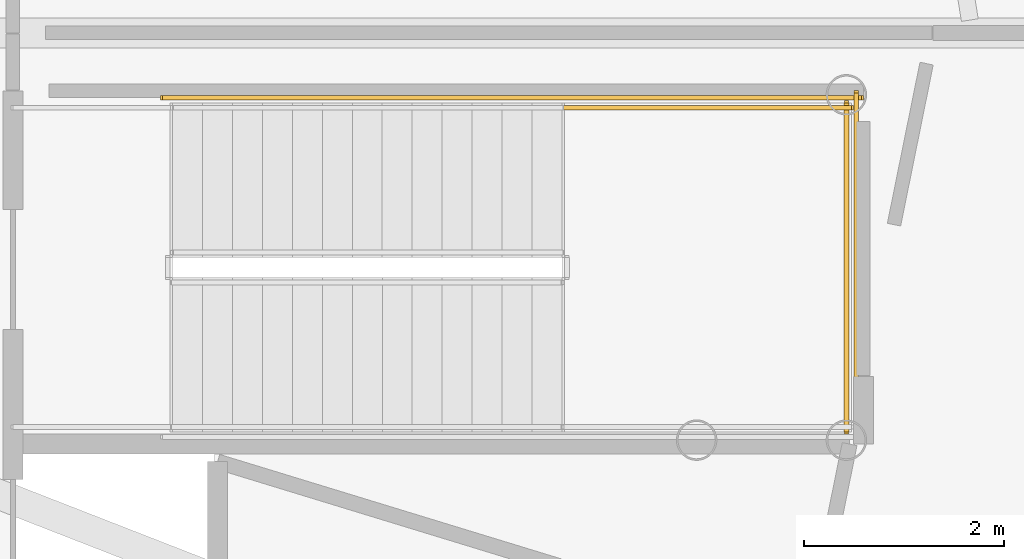
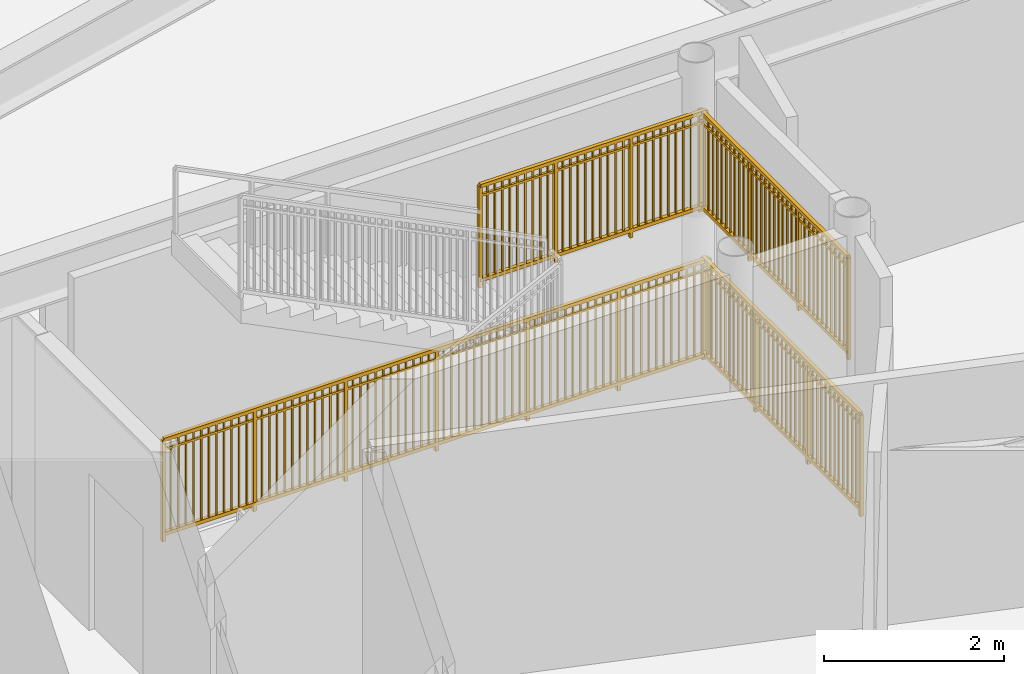
# One storey, part 28 of 29: 4 railings.
"""IFC4 building model written with IfcOpenShell, lengths in metres."""

from ifc_helpers import new_model, si_unit, direction, frame, origin, origin_2d, place, context, subcontext, project, spatial, rectangle, extrude, source, transform, mapped, material, type_object, element, save


model = new_model("IFC4")

# Units and contexts
model_context = context("Model", 3, precision=1e-05, world=origin(), true_north=direction((0.0, 1.0)))
body_context = subcontext(model_context, "Body", "Model", "MODEL_VIEW")
ifc_project = project(units=[si_unit("LENGTHUNIT", "METRE"), si_unit("AREAUNIT", "SQUARE_METRE"), si_unit("VOLUMEUNIT", "CUBIC_METRE"), si_unit("PLANEANGLEUNIT", "RADIAN"), si_unit("MASSUNIT", "GRAM", prefix="KILO")], contexts=[model_context])

# Site, building, storey
site_placement = place(None, origin())
site = spatial("IfcSite", under=ifc_project, at=site_placement, CompositionType="ELEMENT")
building_placement = place(site_placement, origin())
building = spatial("IfcBuilding", under=site, at=building_placement, Name="Linh Dai School and Residence Tower", CompositionType="ELEMENT")
storey_placement = place(building_placement, frame((0.0, 0.0, 45.0)))
storey = spatial("IfcBuildingStorey", under=building, at=storey_placement, Name="L10", CompositionType="ELEMENT", Elevation=45.0)

# Railings
ifc_material = material(Name="Structural Steel S355JR", Category="steel")
railing_type = type_object("IfcRailingType", Name="RL-ST-GUARD-1400", PredefinedType="GUARDRAIL", material=ifc_material)
shared_shape_1 = source(origin(), body_context, "Body", "SweptSolid", [
    extrude(rectangle(XDim=0.048095703125, YDim=0.048095703125, at=origin_2d()), frame((0.0, 0.0, 1.3759765625), z_axis=(0.0, 1.0, 0.0), x_axis=(-1.0, 0.0, 0.0)), (0.0, 0.0, 1.0), 3.300048828125),
    extrude(rectangle(XDim=0.048095703125, YDim=0.048095703125, at=origin_2d()), frame((0.0, 0.0, 0.10009765625), z_axis=(0.0, 1.0, 0.0), x_axis=(-1.0, 0.0, 0.0)), (0.0, 0.0, 1.0), 3.300048828125),
    extrude(rectangle(XDim=0.030029296875, YDim=0.030029296875, at=origin_2d()), frame((0.0, 0.0, 1.239990234375), z_axis=(0.0, 1.0, 0.0), x_axis=(-1.0, 0.0, 0.0)), (0.0, 0.0, 1.0), 3.300048828125),
    extrude(rectangle(XDim=0.02001953125, YDim=0.02001953125, at=origin_2d()), frame((0.0, 0.09716796875, 0.10009765625)), (0.0, 0.0, 1.0), 1.251708984375),
    extrude(rectangle(XDim=0.02001953125, YDim=0.02001953125, at=origin_2d()), frame((0.0, 0.194091796875, 0.10009765625)), (0.0, 0.0, 1.0), 1.251708984375),
    extrude(rectangle(XDim=0.02001953125, YDim=0.02001953125, at=origin_2d()), frame((0.0, 0.291259765625, 0.10009765625)), (0.0, 0.0, 1.0), 1.251708984375),
    extrude(rectangle(XDim=0.02001953125, YDim=0.02001953125, at=origin_2d()), frame((0.0, 0.38818359375, 0.10009765625)), (0.0, 0.0, 1.0), 1.251708984375),
    extrude(rectangle(XDim=0.02001953125, YDim=0.02001953125, at=origin_2d()), frame((0.0, 0.4853515625, 0.10009765625)), (0.0, 0.0, 1.0), 1.251708984375),
    extrude(rectangle(XDim=0.02001953125, YDim=0.02001953125, at=origin_2d()), frame((0.0, 0.582275390625, 0.10009765625)), (0.0, 0.0, 1.0), 1.251708984375),
    extrude(rectangle(XDim=0.02001953125, YDim=0.02001953125, at=origin_2d()), frame((0.0, 0.679443359375, 0.10009765625)), (0.0, 0.0, 1.0), 1.251708984375),
    extrude(rectangle(XDim=0.02001953125, YDim=0.02001953125, at=origin_2d()), frame((0.0, 0.7763671875, 0.10009765625)), (0.0, 0.0, 1.0), 1.251708984375),
    extrude(rectangle(XDim=0.02001953125, YDim=0.02001953125, at=origin_2d()), frame((0.0, 0.87353515625, 0.10009765625)), (0.0, 0.0, 1.0), 1.251708984375),
    extrude(rectangle(XDim=0.02001953125, YDim=0.02001953125, at=origin_2d()), frame((0.0, 0.970703125, 0.10009765625)), (0.0, 0.0, 1.0), 1.251708984375),
    extrude(rectangle(XDim=0.02001953125, YDim=0.02001953125, at=origin_2d()), frame((0.0, 1.164794921875, 0.10009765625)), (0.0, 0.0, 1.0), 1.251708984375),
    extrude(rectangle(XDim=0.02001953125, YDim=0.02001953125, at=origin_2d()), frame((0.0, 1.26171875, 0.10009765625)), (0.0, 0.0, 1.0), 1.251708984375),
    extrude(rectangle(XDim=0.02001953125, YDim=0.02001953125, at=origin_2d()), frame((0.0, 1.35888671875, 0.10009765625)), (0.0, 0.0, 1.0), 1.251708984375),
    extrude(rectangle(XDim=0.02001953125, YDim=0.02001953125, at=origin_2d()), frame((0.0, 1.455810546875, 0.10009765625)), (0.0, 0.0, 1.0), 1.251708984375),
    extrude(rectangle(XDim=0.02001953125, YDim=0.02001953125, at=origin_2d()), frame((0.0, 1.552978515625, 0.10009765625)), (0.0, 0.0, 1.0), 1.251708984375),
    extrude(rectangle(XDim=0.02001953125, YDim=0.02001953125, at=origin_2d()), frame((0.0, 1.64990234375, 0.10009765625)), (0.0, 0.0, 1.0), 1.251708984375),
    extrude(rectangle(XDim=0.02001953125, YDim=0.02001953125, at=origin_2d()), frame((0.0, 1.7470703125, 0.10009765625)), (0.0, 0.0, 1.0), 1.251708984375),
    extrude(rectangle(XDim=0.02001953125, YDim=0.02001953125, at=origin_2d()), frame((0.0, 1.84423828125, 0.10009765625)), (0.0, 0.0, 1.0), 1.251708984375),
    extrude(rectangle(XDim=0.02001953125, YDim=0.02001953125, at=origin_2d()), frame((0.0, 1.941162109375, 0.10009765625)), (0.0, 0.0, 1.0), 1.251708984375),
    extrude(rectangle(XDim=0.02001953125, YDim=0.02001953125, at=origin_2d()), frame((0.0, 2.038330078125, 0.10009765625)), (0.0, 0.0, 1.0), 1.251708984375),
    extrude(rectangle(XDim=0.02001953125, YDim=0.02001953125, at=origin_2d()), frame((0.0, 2.13525390625, 0.10009765625)), (0.0, 0.0, 1.0), 1.251708984375),
    extrude(rectangle(XDim=0.02001953125, YDim=0.02001953125, at=origin_2d()), frame((0.0, 2.329345703125, 0.10009765625)), (0.0, 0.0, 1.0), 1.251708984375),
    extrude(rectangle(XDim=0.02001953125, YDim=0.02001953125, at=origin_2d()), frame((0.0, 2.426513671875, 0.10009765625)), (0.0, 0.0, 1.0), 1.251708984375),
    extrude(rectangle(XDim=0.02001953125, YDim=0.02001953125, at=origin_2d()), frame((0.0, 2.523681640625, 0.10009765625)), (0.0, 0.0, 1.0), 1.251708984375),
    extrude(rectangle(XDim=0.02001953125, YDim=0.02001953125, at=origin_2d()), frame((0.0, 2.62060546875, 0.10009765625)), (0.0, 0.0, 1.0), 1.251708984375),
    extrude(rectangle(XDim=0.02001953125, YDim=0.02001953125, at=origin_2d()), frame((0.0, 2.7177734375, 0.10009765625)), (0.0, 0.0, 1.0), 1.251708984375),
    extrude(rectangle(XDim=0.02001953125, YDim=0.02001953125, at=origin_2d()), frame((0.0, 2.814697265625, 0.10009765625)), (0.0, 0.0, 1.0), 1.251708984375),
    extrude(rectangle(XDim=0.02001953125, YDim=0.02001953125, at=origin_2d()), frame((0.0, 2.911865234375, 0.10009765625)), (0.0, 0.0, 1.0), 1.251708984375),
    extrude(rectangle(XDim=0.02001953125, YDim=0.02001953125, at=origin_2d()), frame((0.0, 3.0087890625, 0.10009765625)), (0.0, 0.0, 1.0), 1.251708984375),
    extrude(rectangle(XDim=0.02001953125, YDim=0.02001953125, at=origin_2d()), frame((0.0, 3.10595703125, 0.10009765625)), (0.0, 0.0, 1.0), 1.251708984375),
    extrude(rectangle(XDim=0.02001953125, YDim=0.02001953125, at=origin_2d()), frame((0.0, 3.202880859375, 0.10009765625)), (0.0, 0.0, 1.0), 1.251708984375),
    extrude(rectangle(XDim=0.0419921875, YDim=0.0419921875, at=origin_2d()), origin(), (0.0, 0.0, 1.0), 1.3759765625),
    extrude(rectangle(XDim=0.0419921875, YDim=0.0419921875, at=origin_2d()), frame((0.0, 1.10009765625, 0.0)), (0.0, 0.0, 1.0), 1.3759765625),
    extrude(rectangle(XDim=0.0419921875, YDim=0.0419921875, at=origin_2d()), frame((0.0, 2.199951171875, 0.0)), (0.0, 0.0, 1.0), 1.3759765625),
    extrude(rectangle(XDim=0.0419921875, YDim=0.0419921875, at=origin_2d()), frame((0.0, 3.300048828125, 0.0)), (0.0, 0.0, 1.0), 1.3759765625),
])
railing_1_placement = place(storey_placement, frame((56.35009765625, 23.0, 2.10009765625)))
element("IfcRailing", 1, at=railing_1_placement, inside=storey, type_object=railing_type, Name="L10 STS2 stair guard 5", PredefinedType="GUARDRAIL", context=body_context, shape_type="MappedRepresentation", body=[
    mapped(shared_shape_1, transform((0.0, 0.0, 0.0), x_axis=(1.0, 0.0, 0.0), y_axis=(0.0, 1.0, 0.0), z_axis=(0.0, 0.0, 1.0), scale=1.0)),
])
shared_shape_2 = source(origin(), body_context, "Body", "SweptSolid", [
    extrude(rectangle(XDim=0.048095703125, YDim=0.048095703125, at=origin_2d()), frame((0.0, 0.0, 1.3759765625), z_axis=(1.0, 0.0, 0.0), x_axis=(0.0, 1.0, 0.0)), (0.0, 0.0, 1.0), 2.89990234375),
    extrude(rectangle(XDim=0.048095703125, YDim=0.048095703125, at=origin_2d()), frame((0.0, 0.0, 0.10009765625), z_axis=(1.0, 0.0, 0.0), x_axis=(0.0, 1.0, 0.0)), (0.0, 0.0, 1.0), 2.89990234375),
    extrude(rectangle(XDim=0.030029296875, YDim=0.030029296875, at=origin_2d()), frame((0.0, 0.0, 1.239990234375), z_axis=(1.0, 0.0, 0.0), x_axis=(0.0, 1.0, 0.0)), (0.0, 0.0, 1.0), 2.89990234375),
    extrude(rectangle(XDim=0.02001953125, YDim=0.02001953125, at=origin_2d()), frame((0.0966796875, 0.0, 0.10009765625)), (0.0, 0.0, 1.0), 1.251708984375),
    extrude(rectangle(XDim=0.02001953125, YDim=0.02001953125, at=origin_2d()), frame((0.193359375, 0.0, 0.10009765625)), (0.0, 0.0, 1.0), 1.251708984375),
    extrude(rectangle(XDim=0.02001953125, YDim=0.02001953125, at=origin_2d()), frame((0.2900390625, 0.0, 0.10009765625)), (0.0, 0.0, 1.0), 1.251708984375),
    extrude(rectangle(XDim=0.02001953125, YDim=0.02001953125, at=origin_2d()), frame((0.38671875, 0.0, 0.10009765625)), (0.0, 0.0, 1.0), 1.251708984375),
    extrude(rectangle(XDim=0.02001953125, YDim=0.02001953125, at=origin_2d()), frame((0.4833984375, 0.0, 0.10009765625)), (0.0, 0.0, 1.0), 1.251708984375),
    extrude(rectangle(XDim=0.02001953125, YDim=0.02001953125, at=origin_2d()), frame((0.580078125, 0.0, 0.10009765625)), (0.0, 0.0, 1.0), 1.251708984375),
    extrude(rectangle(XDim=0.02001953125, YDim=0.02001953125, at=origin_2d()), frame((0.6767578125, 0.0, 0.10009765625)), (0.0, 0.0, 1.0), 1.251708984375),
    extrude(rectangle(XDim=0.02001953125, YDim=0.02001953125, at=origin_2d()), frame((0.773193359375, 0.0, 0.10009765625)), (0.0, 0.0, 1.0), 1.251708984375),
    extrude(rectangle(XDim=0.02001953125, YDim=0.02001953125, at=origin_2d()), frame((0.869873046875, 0.0, 0.10009765625)), (0.0, 0.0, 1.0), 1.251708984375),
    extrude(rectangle(XDim=0.02001953125, YDim=0.02001953125, at=origin_2d()), frame((1.063232421875, 0.0, 0.10009765625)), (0.0, 0.0, 1.0), 1.251708984375),
    extrude(rectangle(XDim=0.02001953125, YDim=0.02001953125, at=origin_2d()), frame((1.159912109375, 0.0, 0.10009765625)), (0.0, 0.0, 1.0), 1.251708984375),
    extrude(rectangle(XDim=0.02001953125, YDim=0.02001953125, at=origin_2d()), frame((1.256591796875, 0.0, 0.10009765625)), (0.0, 0.0, 1.0), 1.251708984375),
    extrude(rectangle(XDim=0.02001953125, YDim=0.02001953125, at=origin_2d()), frame((1.353271484375, 0.0, 0.10009765625)), (0.0, 0.0, 1.0), 1.251708984375),
    extrude(rectangle(XDim=0.02001953125, YDim=0.02001953125, at=origin_2d()), frame((1.449951171875, 0.0, 0.10009765625)), (0.0, 0.0, 1.0), 1.251708984375),
    extrude(rectangle(XDim=0.02001953125, YDim=0.02001953125, at=origin_2d()), frame((1.546630859375, 0.0, 0.10009765625)), (0.0, 0.0, 1.0), 1.251708984375),
    extrude(rectangle(XDim=0.02001953125, YDim=0.02001953125, at=origin_2d()), frame((1.643310546875, 0.0, 0.10009765625)), (0.0, 0.0, 1.0), 1.251708984375),
    extrude(rectangle(XDim=0.02001953125, YDim=0.02001953125, at=origin_2d()), frame((1.739990234375, 0.0, 0.10009765625)), (0.0, 0.0, 1.0), 1.251708984375),
    extrude(rectangle(XDim=0.02001953125, YDim=0.02001953125, at=origin_2d()), frame((1.836669921875, 0.0, 0.10009765625)), (0.0, 0.0, 1.0), 1.251708984375),
    extrude(rectangle(XDim=0.02001953125, YDim=0.02001953125, at=origin_2d()), frame((2.030029296875, 0.0, 0.10009765625)), (0.0, 0.0, 1.0), 1.251708984375),
    extrude(rectangle(XDim=0.02001953125, YDim=0.02001953125, at=origin_2d()), frame((2.126708984375, 0.0, 0.10009765625)), (0.0, 0.0, 1.0), 1.251708984375),
    extrude(rectangle(XDim=0.02001953125, YDim=0.02001953125, at=origin_2d()), frame((2.22314453125, 0.0, 0.10009765625)), (0.0, 0.0, 1.0), 1.251708984375),
    extrude(rectangle(XDim=0.02001953125, YDim=0.02001953125, at=origin_2d()), frame((2.31982421875, 0.0, 0.10009765625)), (0.0, 0.0, 1.0), 1.251708984375),
    extrude(rectangle(XDim=0.02001953125, YDim=0.02001953125, at=origin_2d()), frame((2.41650390625, 0.0, 0.10009765625)), (0.0, 0.0, 1.0), 1.251708984375),
    extrude(rectangle(XDim=0.02001953125, YDim=0.02001953125, at=origin_2d()), frame((2.51318359375, 0.0, 0.10009765625)), (0.0, 0.0, 1.0), 1.251708984375),
    extrude(rectangle(XDim=0.02001953125, YDim=0.02001953125, at=origin_2d()), frame((2.60986328125, 0.0, 0.10009765625)), (0.0, 0.0, 1.0), 1.251708984375),
    extrude(rectangle(XDim=0.02001953125, YDim=0.02001953125, at=origin_2d()), frame((2.70654296875, 0.0, 0.10009765625)), (0.0, 0.0, 1.0), 1.251708984375),
    extrude(rectangle(XDim=0.02001953125, YDim=0.02001953125, at=origin_2d()), frame((2.80322265625, 0.0, 0.10009765625)), (0.0, 0.0, 1.0), 1.251708984375),
    extrude(rectangle(XDim=0.0419921875, YDim=0.0419921875, at=origin_2d()), origin(), (0.0, 0.0, 1.0), 1.3759765625),
    extrude(rectangle(XDim=0.0419921875, YDim=0.0419921875, at=origin_2d()), frame((0.966552734375, 0.0, 0.0)), (0.0, 0.0, 1.0), 1.3759765625),
    extrude(rectangle(XDim=0.0419921875, YDim=0.0419921875, at=origin_2d()), frame((1.933349609375, 0.0, 0.0)), (0.0, 0.0, 1.0), 1.3759765625),
    extrude(rectangle(XDim=0.0419921875, YDim=0.0419921875, at=origin_2d()), frame((2.89990234375, 0.0, 0.0)), (0.0, 0.0, 1.0), 1.3759765625),
])
railing_2_placement = place(storey_placement, frame((53.5, 26.25, 2.10009765625)))
element("IfcRailing", 2, at=railing_2_placement, inside=storey, type_object=railing_type, Name="L10 STS2 stair guard 4", PredefinedType="GUARDRAIL", context=body_context, shape_type="MappedRepresentation", body=[
    mapped(shared_shape_2, transform((0.0, 0.0, 0.0), x_axis=(1.0, 0.0, 0.0), y_axis=(0.0, 1.0, 0.0), z_axis=(0.0, 0.0, 1.0), scale=1.0)),
])
shared_shape_3 = source(origin(), body_context, "Body", "SweptSolid", [
    extrude(rectangle(XDim=0.048095703125, YDim=0.048095703125, at=origin_2d()), frame((0.0, 0.0, 1.3759765625), z_axis=(1.0, 0.0, 0.0), x_axis=(0.0, 1.0, 0.0)), (0.0, 0.0, 1.0), 7.0),
    extrude(rectangle(XDim=0.048095703125, YDim=0.048095703125, at=origin_2d()), frame((0.0, 0.0, 0.10009765625), z_axis=(1.0, 0.0, 0.0), x_axis=(0.0, 1.0, 0.0)), (0.0, 0.0, 1.0), 7.0),
    extrude(rectangle(XDim=0.030029296875, YDim=0.030029296875, at=origin_2d()), frame((0.0, 0.0, 1.239990234375), z_axis=(1.0, 0.0, 0.0), x_axis=(0.0, 1.0, 0.0)), (0.0, 0.0, 1.0), 7.0),
    extrude(rectangle(XDim=0.02001953125, YDim=0.02001953125, at=origin_2d()), frame((0.09716796875, 0.0, 0.10009765625)), (0.0, 0.0, 1.0), 1.251708984375),
    extrude(rectangle(XDim=0.02001953125, YDim=0.02001953125, at=origin_2d()), frame((0.1943359375, 0.0, 0.10009765625)), (0.0, 0.0, 1.0), 1.251708984375),
    extrude(rectangle(XDim=0.02001953125, YDim=0.02001953125, at=origin_2d()), frame((0.291748046875, 0.0, 0.10009765625)), (0.0, 0.0, 1.0), 1.251708984375),
    extrude(rectangle(XDim=0.02001953125, YDim=0.02001953125, at=origin_2d()), frame((0.388916015625, 0.0, 0.10009765625)), (0.0, 0.0, 1.0), 1.251708984375),
    extrude(rectangle(XDim=0.02001953125, YDim=0.02001953125, at=origin_2d()), frame((0.486083984375, 0.0, 0.10009765625)), (0.0, 0.0, 1.0), 1.251708984375),
    extrude(rectangle(XDim=0.02001953125, YDim=0.02001953125, at=origin_2d()), frame((0.583251953125, 0.0, 0.10009765625)), (0.0, 0.0, 1.0), 1.251708984375),
    extrude(rectangle(XDim=0.02001953125, YDim=0.02001953125, at=origin_2d()), frame((0.6806640625, 0.0, 0.10009765625)), (0.0, 0.0, 1.0), 1.251708984375),
    extrude(rectangle(XDim=0.02001953125, YDim=0.02001953125, at=origin_2d()), frame((0.77783203125, 0.0, 0.10009765625)), (0.0, 0.0, 1.0), 1.251708984375),
    extrude(rectangle(XDim=0.02001953125, YDim=0.02001953125, at=origin_2d()), frame((0.875, 0.0, 0.10009765625)), (0.0, 0.0, 1.0), 1.251708984375),
    extrude(rectangle(XDim=0.02001953125, YDim=0.02001953125, at=origin_2d()), frame((0.97216796875, 0.0, 0.10009765625)), (0.0, 0.0, 1.0), 1.251708984375),
    extrude(rectangle(XDim=0.02001953125, YDim=0.02001953125, at=origin_2d()), frame((1.0693359375, 0.0, 0.10009765625)), (0.0, 0.0, 1.0), 1.251708984375),
    extrude(rectangle(XDim=0.02001953125, YDim=0.02001953125, at=origin_2d()), frame((1.263916015625, 0.0, 0.10009765625)), (0.0, 0.0, 1.0), 1.251708984375),
    extrude(rectangle(XDim=0.02001953125, YDim=0.02001953125, at=origin_2d()), frame((1.361083984375, 0.0, 0.10009765625)), (0.0, 0.0, 1.0), 1.251708984375),
    extrude(rectangle(XDim=0.02001953125, YDim=0.02001953125, at=origin_2d()), frame((1.458251953125, 0.0, 0.10009765625)), (0.0, 0.0, 1.0), 1.251708984375),
    extrude(rectangle(XDim=0.02001953125, YDim=0.02001953125, at=origin_2d()), frame((1.5556640625, 0.0, 0.10009765625)), (0.0, 0.0, 1.0), 1.251708984375),
    extrude(rectangle(XDim=0.02001953125, YDim=0.02001953125, at=origin_2d()), frame((1.65283203125, 0.0, 0.10009765625)), (0.0, 0.0, 1.0), 1.251708984375),
    extrude(rectangle(XDim=0.02001953125, YDim=0.02001953125, at=origin_2d()), frame((1.75, 0.0, 0.10009765625)), (0.0, 0.0, 1.0), 1.251708984375),
    extrude(rectangle(XDim=0.02001953125, YDim=0.02001953125, at=origin_2d()), frame((1.84716796875, 0.0, 0.10009765625)), (0.0, 0.0, 1.0), 1.251708984375),
    extrude(rectangle(XDim=0.02001953125, YDim=0.02001953125, at=origin_2d()), frame((1.9443359375, 0.0, 0.10009765625)), (0.0, 0.0, 1.0), 1.251708984375),
    extrude(rectangle(XDim=0.02001953125, YDim=0.02001953125, at=origin_2d()), frame((2.041748046875, 0.0, 0.10009765625)), (0.0, 0.0, 1.0), 1.251708984375),
    extrude(rectangle(XDim=0.02001953125, YDim=0.02001953125, at=origin_2d()), frame((2.138916015625, 0.0, 0.10009765625)), (0.0, 0.0, 1.0), 1.251708984375),
    extrude(rectangle(XDim=0.02001953125, YDim=0.02001953125, at=origin_2d()), frame((2.236083984375, 0.0, 0.10009765625)), (0.0, 0.0, 1.0), 1.251708984375),
    extrude(rectangle(XDim=0.02001953125, YDim=0.02001953125, at=origin_2d()), frame((2.4306640625, 0.0, 0.10009765625)), (0.0, 0.0, 1.0), 1.251708984375),
    extrude(rectangle(XDim=0.02001953125, YDim=0.02001953125, at=origin_2d()), frame((2.52783203125, 0.0, 0.10009765625)), (0.0, 0.0, 1.0), 1.251708984375),
    extrude(rectangle(XDim=0.02001953125, YDim=0.02001953125, at=origin_2d()), frame((2.625, 0.0, 0.10009765625)), (0.0, 0.0, 1.0), 1.251708984375),
    extrude(rectangle(XDim=0.02001953125, YDim=0.02001953125, at=origin_2d()), frame((2.72216796875, 0.0, 0.10009765625)), (0.0, 0.0, 1.0), 1.251708984375),
    extrude(rectangle(XDim=0.02001953125, YDim=0.02001953125, at=origin_2d()), frame((2.8193359375, 0.0, 0.10009765625)), (0.0, 0.0, 1.0), 1.251708984375),
    extrude(rectangle(XDim=0.02001953125, YDim=0.02001953125, at=origin_2d()), frame((2.916748046875, 0.0, 0.10009765625)), (0.0, 0.0, 1.0), 1.251708984375),
    extrude(rectangle(XDim=0.02001953125, YDim=0.02001953125, at=origin_2d()), frame((3.013916015625, 0.0, 0.10009765625)), (0.0, 0.0, 1.0), 1.251708984375),
    extrude(rectangle(XDim=0.02001953125, YDim=0.02001953125, at=origin_2d()), frame((3.111083984375, 0.0, 0.10009765625)), (0.0, 0.0, 1.0), 1.251708984375),
    extrude(rectangle(XDim=0.02001953125, YDim=0.02001953125, at=origin_2d()), frame((3.208251953125, 0.0, 0.10009765625)), (0.0, 0.0, 1.0), 1.251708984375),
    extrude(rectangle(XDim=0.02001953125, YDim=0.02001953125, at=origin_2d()), frame((3.3056640625, 0.0, 0.10009765625)), (0.0, 0.0, 1.0), 1.251708984375),
    extrude(rectangle(XDim=0.02001953125, YDim=0.02001953125, at=origin_2d()), frame((3.40283203125, 0.0, 0.10009765625)), (0.0, 0.0, 1.0), 1.251708984375),
    extrude(rectangle(XDim=0.02001953125, YDim=0.02001953125, at=origin_2d()), frame((3.59716796875, 0.0, 0.10009765625)), (0.0, 0.0, 1.0), 1.251708984375),
    extrude(rectangle(XDim=0.02001953125, YDim=0.02001953125, at=origin_2d()), frame((3.6943359375, 0.0, 0.10009765625)), (0.0, 0.0, 1.0), 1.251708984375),
    extrude(rectangle(XDim=0.02001953125, YDim=0.02001953125, at=origin_2d()), frame((3.791748046875, 0.0, 0.10009765625)), (0.0, 0.0, 1.0), 1.251708984375),
    extrude(rectangle(XDim=0.02001953125, YDim=0.02001953125, at=origin_2d()), frame((3.888916015625, 0.0, 0.10009765625)), (0.0, 0.0, 1.0), 1.251708984375),
    extrude(rectangle(XDim=0.02001953125, YDim=0.02001953125, at=origin_2d()), frame((3.986083984375, 0.0, 0.10009765625)), (0.0, 0.0, 1.0), 1.251708984375),
    extrude(rectangle(XDim=0.02001953125, YDim=0.02001953125, at=origin_2d()), frame((4.083251953125, 0.0, 0.10009765625)), (0.0, 0.0, 1.0), 1.251708984375),
    extrude(rectangle(XDim=0.02001953125, YDim=0.02001953125, at=origin_2d()), frame((4.1806640625, 0.0, 0.10009765625)), (0.0, 0.0, 1.0), 1.251708984375),
    extrude(rectangle(XDim=0.02001953125, YDim=0.02001953125, at=origin_2d()), frame((4.27783203125, 0.0, 0.10009765625)), (0.0, 0.0, 1.0), 1.251708984375),
    extrude(rectangle(XDim=0.02001953125, YDim=0.02001953125, at=origin_2d()), frame((4.375, 0.0, 0.10009765625)), (0.0, 0.0, 1.0), 1.251708984375),
    extrude(rectangle(XDim=0.02001953125, YDim=0.02001953125, at=origin_2d()), frame((4.47216796875, 0.0, 0.10009765625)), (0.0, 0.0, 1.0), 1.251708984375),
    extrude(rectangle(XDim=0.02001953125, YDim=0.02001953125, at=origin_2d()), frame((4.5693359375, 0.0, 0.10009765625)), (0.0, 0.0, 1.0), 1.251708984375),
    extrude(rectangle(XDim=0.02001953125, YDim=0.02001953125, at=origin_2d()), frame((4.763916015625, 0.0, 0.10009765625)), (0.0, 0.0, 1.0), 1.251708984375),
    extrude(rectangle(XDim=0.02001953125, YDim=0.02001953125, at=origin_2d()), frame((4.861083984375, 0.0, 0.10009765625)), (0.0, 0.0, 1.0), 1.251708984375),
    extrude(rectangle(XDim=0.02001953125, YDim=0.02001953125, at=origin_2d()), frame((4.958251953125, 0.0, 0.10009765625)), (0.0, 0.0, 1.0), 1.251708984375),
    extrude(rectangle(XDim=0.02001953125, YDim=0.02001953125, at=origin_2d()), frame((5.0556640625, 0.0, 0.10009765625)), (0.0, 0.0, 1.0), 1.251708984375),
    extrude(rectangle(XDim=0.02001953125, YDim=0.02001953125, at=origin_2d()), frame((5.15283203125, 0.0, 0.10009765625)), (0.0, 0.0, 1.0), 1.251708984375),
    extrude(rectangle(XDim=0.02001953125, YDim=0.02001953125, at=origin_2d()), frame((5.25, 0.0, 0.10009765625)), (0.0, 0.0, 1.0), 1.251708984375),
    extrude(rectangle(XDim=0.02001953125, YDim=0.02001953125, at=origin_2d()), frame((5.34716796875, 0.0, 0.10009765625)), (0.0, 0.0, 1.0), 1.251708984375),
    extrude(rectangle(XDim=0.02001953125, YDim=0.02001953125, at=origin_2d()), frame((5.4443359375, 0.0, 0.10009765625)), (0.0, 0.0, 1.0), 1.251708984375),
    extrude(rectangle(XDim=0.02001953125, YDim=0.02001953125, at=origin_2d()), frame((5.541748046875, 0.0, 0.10009765625)), (0.0, 0.0, 1.0), 1.251708984375),
    extrude(rectangle(XDim=0.02001953125, YDim=0.02001953125, at=origin_2d()), frame((5.638916015625, 0.0, 0.10009765625)), (0.0, 0.0, 1.0), 1.251708984375),
    extrude(rectangle(XDim=0.02001953125, YDim=0.02001953125, at=origin_2d()), frame((5.736083984375, 0.0, 0.10009765625)), (0.0, 0.0, 1.0), 1.251708984375),
    extrude(rectangle(XDim=0.02001953125, YDim=0.02001953125, at=origin_2d()), frame((5.9306640625, 0.0, 0.10009765625)), (0.0, 0.0, 1.0), 1.251708984375),
    extrude(rectangle(XDim=0.02001953125, YDim=0.02001953125, at=origin_2d()), frame((6.02783203125, 0.0, 0.10009765625)), (0.0, 0.0, 1.0), 1.251708984375),
    extrude(rectangle(XDim=0.02001953125, YDim=0.02001953125, at=origin_2d()), frame((6.125, 0.0, 0.10009765625)), (0.0, 0.0, 1.0), 1.251708984375),
    extrude(rectangle(XDim=0.02001953125, YDim=0.02001953125, at=origin_2d()), frame((6.22216796875, 0.0, 0.10009765625)), (0.0, 0.0, 1.0), 1.251708984375),
    extrude(rectangle(XDim=0.02001953125, YDim=0.02001953125, at=origin_2d()), frame((6.3193359375, 0.0, 0.10009765625)), (0.0, 0.0, 1.0), 1.251708984375),
    extrude(rectangle(XDim=0.02001953125, YDim=0.02001953125, at=origin_2d()), frame((6.416748046875, 0.0, 0.10009765625)), (0.0, 0.0, 1.0), 1.251708984375),
    extrude(rectangle(XDim=0.02001953125, YDim=0.02001953125, at=origin_2d()), frame((6.513916015625, 0.0, 0.10009765625)), (0.0, 0.0, 1.0), 1.251708984375),
    extrude(rectangle(XDim=0.02001953125, YDim=0.02001953125, at=origin_2d()), frame((6.611083984375, 0.0, 0.10009765625)), (0.0, 0.0, 1.0), 1.251708984375),
    extrude(rectangle(XDim=0.02001953125, YDim=0.02001953125, at=origin_2d()), frame((6.708251953125, 0.0, 0.10009765625)), (0.0, 0.0, 1.0), 1.251708984375),
    extrude(rectangle(XDim=0.02001953125, YDim=0.02001953125, at=origin_2d()), frame((6.8056640625, 0.0, 0.10009765625)), (0.0, 0.0, 1.0), 1.251708984375),
    extrude(rectangle(XDim=0.02001953125, YDim=0.02001953125, at=origin_2d()), frame((6.90283203125, 0.0, 0.10009765625)), (0.0, 0.0, 1.0), 1.251708984375),
    extrude(rectangle(XDim=0.0419921875, YDim=0.0419921875, at=origin_2d()), origin(), (0.0, 0.0, 1.0), 1.3759765625),
    extrude(rectangle(XDim=0.0419921875, YDim=0.0419921875, at=origin_2d()), frame((1.166748046875, 0.0, 0.0)), (0.0, 0.0, 1.0), 1.3759765625),
    extrude(rectangle(XDim=0.0419921875, YDim=0.0419921875, at=origin_2d()), frame((2.333251953125, 0.0, 0.0)), (0.0, 0.0, 1.0), 1.3759765625),
    extrude(rectangle(XDim=0.0419921875, YDim=0.0419921875, at=origin_2d()), frame((3.5, 0.0, 0.0)), (0.0, 0.0, 1.0), 1.3759765625),
    extrude(rectangle(XDim=0.0419921875, YDim=0.0419921875, at=origin_2d()), frame((4.666748046875, 0.0, 0.0)), (0.0, 0.0, 1.0), 1.3759765625),
    extrude(rectangle(XDim=0.0419921875, YDim=0.0419921875, at=origin_2d()), frame((5.833251953125, 0.0, 0.0)), (0.0, 0.0, 1.0), 1.3759765625),
    extrude(rectangle(XDim=0.0419921875, YDim=0.0419921875, at=origin_2d()), frame((7.0, 0.0, 0.0)), (0.0, 0.0, 1.0), 1.3759765625),
])
railing_3_placement = place(storey_placement, frame((49.5, 26.35009765625, 0.0)))
element("IfcRailing", 3, at=railing_3_placement, inside=storey, type_object=railing_type, Name="L10 STS2 stair guard 11", PredefinedType="GUARDRAIL", context=body_context, shape_type="MappedRepresentation", body=[
    mapped(shared_shape_3, transform((0.0, 0.0, 0.0), x_axis=(1.0, 0.0, 0.0), y_axis=(0.0, 1.0, 0.0), z_axis=(0.0, 0.0, 1.0), scale=1.0)),
])
shared_shape_4 = source(origin(), body_context, "Body", "SweptSolid", [
    extrude(rectangle(XDim=0.048095703125, YDim=0.048095703125, at=origin_2d()), frame((0.0, 0.0, 1.3759765625), z_axis=(0.0, 1.0, 0.0), x_axis=(-1.0, 0.0, 0.0)), (0.0, 0.0, 1.0), 3.5),
    extrude(rectangle(XDim=0.048095703125, YDim=0.048095703125, at=origin_2d()), frame((0.0, 0.0, 0.10009765625), z_axis=(0.0, 1.0, 0.0), x_axis=(-1.0, 0.0, 0.0)), (0.0, 0.0, 1.0), 3.5),
    extrude(rectangle(XDim=0.030029296875, YDim=0.030029296875, at=origin_2d()), frame((0.0, 0.0, 1.239990234375), z_axis=(0.0, 1.0, 0.0), x_axis=(-1.0, 0.0, 0.0)), (0.0, 0.0, 1.0), 3.5),
    extrude(rectangle(XDim=0.02001953125, YDim=0.02001953125, at=origin_2d()), frame((0.0, 0.09716796875, 0.10009765625)), (0.0, 0.0, 1.0), 1.251708984375),
    extrude(rectangle(XDim=0.02001953125, YDim=0.02001953125, at=origin_2d()), frame((0.0, 0.1943359375, 0.10009765625)), (0.0, 0.0, 1.0), 1.251708984375),
    extrude(rectangle(XDim=0.02001953125, YDim=0.02001953125, at=origin_2d()), frame((0.0, 0.291748046875, 0.10009765625)), (0.0, 0.0, 1.0), 1.251708984375),
    extrude(rectangle(XDim=0.02001953125, YDim=0.02001953125, at=origin_2d()), frame((0.0, 0.388916015625, 0.10009765625)), (0.0, 0.0, 1.0), 1.251708984375),
    extrude(rectangle(XDim=0.02001953125, YDim=0.02001953125, at=origin_2d()), frame((0.0, 0.486083984375, 0.10009765625)), (0.0, 0.0, 1.0), 1.251708984375),
    extrude(rectangle(XDim=0.02001953125, YDim=0.02001953125, at=origin_2d()), frame((0.0, 0.583251953125, 0.10009765625)), (0.0, 0.0, 1.0), 1.251708984375),
    extrude(rectangle(XDim=0.02001953125, YDim=0.02001953125, at=origin_2d()), frame((0.0, 0.6806640625, 0.10009765625)), (0.0, 0.0, 1.0), 1.251708984375),
    extrude(rectangle(XDim=0.02001953125, YDim=0.02001953125, at=origin_2d()), frame((0.0, 0.77783203125, 0.10009765625)), (0.0, 0.0, 1.0), 1.251708984375),
    extrude(rectangle(XDim=0.02001953125, YDim=0.02001953125, at=origin_2d()), frame((0.0, 0.875, 0.10009765625)), (0.0, 0.0, 1.0), 1.251708984375),
    extrude(rectangle(XDim=0.02001953125, YDim=0.02001953125, at=origin_2d()), frame((0.0, 0.97216796875, 0.10009765625)), (0.0, 0.0, 1.0), 1.251708984375),
    extrude(rectangle(XDim=0.02001953125, YDim=0.02001953125, at=origin_2d()), frame((0.0, 1.0693359375, 0.10009765625)), (0.0, 0.0, 1.0), 1.251708984375),
    extrude(rectangle(XDim=0.02001953125, YDim=0.02001953125, at=origin_2d()), frame((0.0, 1.263916015625, 0.10009765625)), (0.0, 0.0, 1.0), 1.251708984375),
    extrude(rectangle(XDim=0.02001953125, YDim=0.02001953125, at=origin_2d()), frame((0.0, 1.361083984375, 0.10009765625)), (0.0, 0.0, 1.0), 1.251708984375),
    extrude(rectangle(XDim=0.02001953125, YDim=0.02001953125, at=origin_2d()), frame((0.0, 1.458251953125, 0.10009765625)), (0.0, 0.0, 1.0), 1.251708984375),
    extrude(rectangle(XDim=0.02001953125, YDim=0.02001953125, at=origin_2d()), frame((0.0, 1.5556640625, 0.10009765625)), (0.0, 0.0, 1.0), 1.251708984375),
    extrude(rectangle(XDim=0.02001953125, YDim=0.02001953125, at=origin_2d()), frame((0.0, 1.65283203125, 0.10009765625)), (0.0, 0.0, 1.0), 1.251708984375),
    extrude(rectangle(XDim=0.02001953125, YDim=0.02001953125, at=origin_2d()), frame((0.0, 1.75, 0.10009765625)), (0.0, 0.0, 1.0), 1.251708984375),
    extrude(rectangle(XDim=0.02001953125, YDim=0.02001953125, at=origin_2d()), frame((0.0, 1.84716796875, 0.10009765625)), (0.0, 0.0, 1.0), 1.251708984375),
    extrude(rectangle(XDim=0.02001953125, YDim=0.02001953125, at=origin_2d()), frame((0.0, 1.9443359375, 0.10009765625)), (0.0, 0.0, 1.0), 1.251708984375),
    extrude(rectangle(XDim=0.02001953125, YDim=0.02001953125, at=origin_2d()), frame((0.0, 2.041748046875, 0.10009765625)), (0.0, 0.0, 1.0), 1.251708984375),
    extrude(rectangle(XDim=0.02001953125, YDim=0.02001953125, at=origin_2d()), frame((0.0, 2.138916015625, 0.10009765625)), (0.0, 0.0, 1.0), 1.251708984375),
    extrude(rectangle(XDim=0.02001953125, YDim=0.02001953125, at=origin_2d()), frame((0.0, 2.236083984375, 0.10009765625)), (0.0, 0.0, 1.0), 1.251708984375),
    extrude(rectangle(XDim=0.02001953125, YDim=0.02001953125, at=origin_2d()), frame((0.0, 2.4306640625, 0.10009765625)), (0.0, 0.0, 1.0), 1.251708984375),
    extrude(rectangle(XDim=0.02001953125, YDim=0.02001953125, at=origin_2d()), frame((0.0, 2.52783203125, 0.10009765625)), (0.0, 0.0, 1.0), 1.251708984375),
    extrude(rectangle(XDim=0.02001953125, YDim=0.02001953125, at=origin_2d()), frame((0.0, 2.625, 0.10009765625)), (0.0, 0.0, 1.0), 1.251708984375),
    extrude(rectangle(XDim=0.02001953125, YDim=0.02001953125, at=origin_2d()), frame((0.0, 2.72216796875, 0.10009765625)), (0.0, 0.0, 1.0), 1.251708984375),
    extrude(rectangle(XDim=0.02001953125, YDim=0.02001953125, at=origin_2d()), frame((0.0, 2.8193359375, 0.10009765625)), (0.0, 0.0, 1.0), 1.251708984375),
    extrude(rectangle(XDim=0.02001953125, YDim=0.02001953125, at=origin_2d()), frame((0.0, 2.916748046875, 0.10009765625)), (0.0, 0.0, 1.0), 1.251708984375),
    extrude(rectangle(XDim=0.02001953125, YDim=0.02001953125, at=origin_2d()), frame((0.0, 3.013916015625, 0.10009765625)), (0.0, 0.0, 1.0), 1.251708984375),
    extrude(rectangle(XDim=0.02001953125, YDim=0.02001953125, at=origin_2d()), frame((0.0, 3.111083984375, 0.10009765625)), (0.0, 0.0, 1.0), 1.251708984375),
    extrude(rectangle(XDim=0.02001953125, YDim=0.02001953125, at=origin_2d()), frame((0.0, 3.208251953125, 0.10009765625)), (0.0, 0.0, 1.0), 1.251708984375),
    extrude(rectangle(XDim=0.02001953125, YDim=0.02001953125, at=origin_2d()), frame((0.0, 3.3056640625, 0.10009765625)), (0.0, 0.0, 1.0), 1.251708984375),
    extrude(rectangle(XDim=0.02001953125, YDim=0.02001953125, at=origin_2d()), frame((0.0, 3.40283203125, 0.10009765625)), (0.0, 0.0, 1.0), 1.251708984375),
    extrude(rectangle(XDim=0.0419921875, YDim=0.0419921875, at=origin_2d()), origin(), (0.0, 0.0, 1.0), 1.3759765625),
    extrude(rectangle(XDim=0.0419921875, YDim=0.0419921875, at=origin_2d()), frame((0.0, 1.166748046875, 0.0)), (0.0, 0.0, 1.0), 1.3759765625),
    extrude(rectangle(XDim=0.0419921875, YDim=0.0419921875, at=origin_2d()), frame((0.0, 2.333251953125, 0.0)), (0.0, 0.0, 1.0), 1.3759765625),
    extrude(rectangle(XDim=0.0419921875, YDim=0.0419921875, at=origin_2d()), frame((0.0, 3.5, 0.0)), (0.0, 0.0, 1.0), 1.3759765625),
])
railing_4_placement = place(storey_placement, frame((56.449951171875, 22.89990234375, 0.0)))
element("IfcRailing", 4, at=railing_4_placement, inside=storey, type_object=railing_type, Name="L10 STS2 stair guard 12", PredefinedType="GUARDRAIL", context=body_context, shape_type="MappedRepresentation", body=[
    mapped(shared_shape_4, transform((0.0, 0.0, 0.0), x_axis=(1.0, 0.0, 0.0), y_axis=(0.0, 1.0, 0.0), z_axis=(0.0, 0.0, 1.0), scale=1.0)),
])

save(model, "model.ifc")
